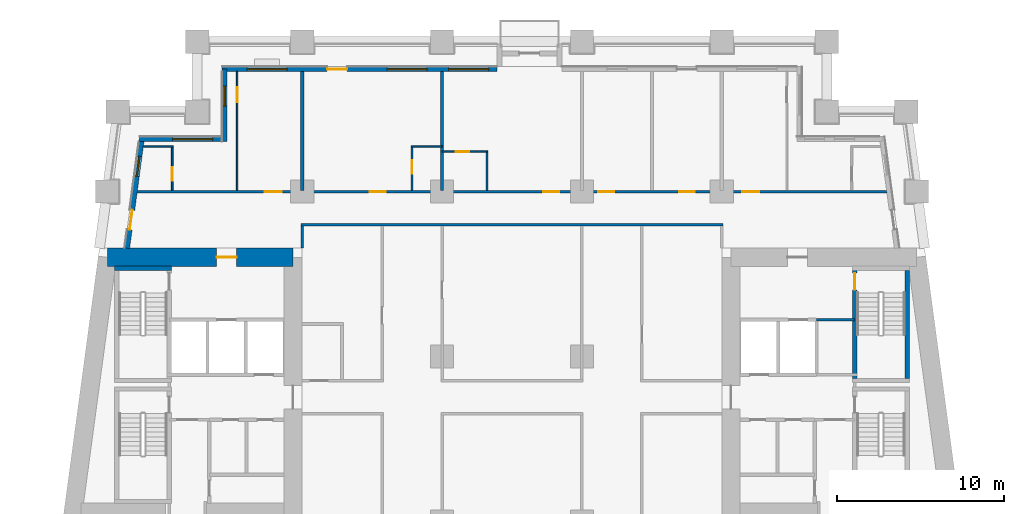
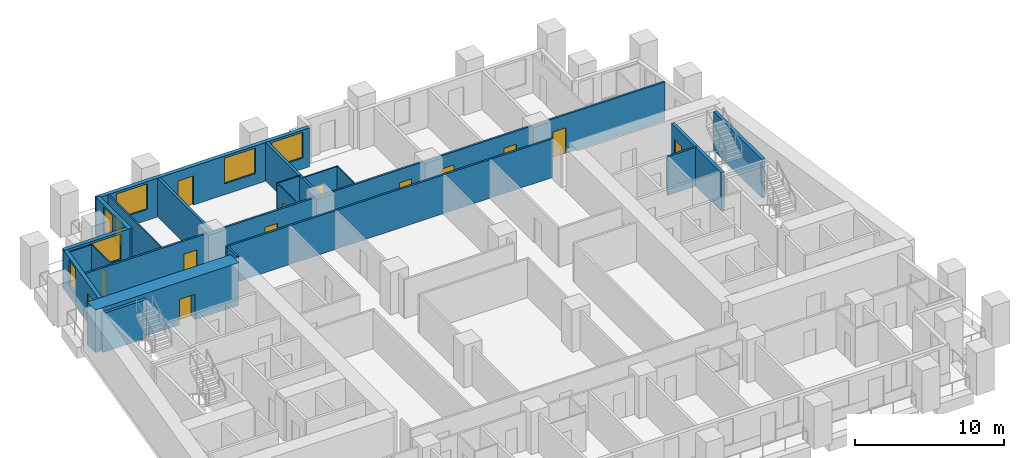
# One storey, part 6 of 12: 21 walls, 14 doors, 6 windows, 20 openings.
"""IFC4 building model written with IfcOpenShell, lengths in metres."""

from ifc_helpers import new_model, si_unit, direction, frame, frame_2d, origin, place, context, subcontext, project, spatial, rectangle, extrude, material, layer, layer_set, type_object, element, fill, save


model = new_model("IFC4")

# Units and contexts
model_context = context("Model", 3, precision=1e-05, world=origin(), true_north=direction((0.0, 1.0)))
body_context = subcontext(model_context, "Body", "Model", "MODEL_VIEW")
ifc_project = project(units=[si_unit("LENGTHUNIT", "METRE"), si_unit("AREAUNIT", "SQUARE_METRE"), si_unit("VOLUMEUNIT", "CUBIC_METRE"), si_unit("PLANEANGLEUNIT", "RADIAN"), si_unit("MASSUNIT", "GRAM", prefix="KILO")], contexts=[model_context])

# Site, building, storey
site_placement = place(None, origin())
site = spatial("IfcSite", under=ifc_project, at=site_placement, CompositionType="ELEMENT")
building_placement = place(site_placement, origin())
building = spatial("IfcBuilding", under=site, at=building_placement, Name="Candeia Pilgrim Tower and Theatre", CompositionType="ELEMENT")
storey_placement = place(building_placement, frame((0.0, 0.0, 49.5)))
storey = spatial("IfcBuildingStorey", under=building, at=storey_placement, Name="L09", CompositionType="ELEMENT", Elevation=49.5)

# Wall, opening, door
ifc_material_1 = material(Name="Concrete C80/95", Category="concrete")
ifc_layer_1 = layer(ifc_material_1, 1.10009765625)
ifc_layer_set_1 = layer_set([ifc_layer_1], Name="Core wall 1100 C80/95")
wall_type_1 = type_object("IfcWallType", Name="Core wall 1100 C80/95", PredefinedType="SHEAR", material=ifc_layer_set_1)
wall_1_placement = place(storey_placement, frame((89.111572265625, 131.85009765625, 0.0), z_axis=(0.0, 0.0, 1.0), x_axis=(1.0, 0.0, 0.0)))
wall_1 = element("IfcWall", 1, at=wall_1_placement, inside=storey, type_object=wall_type_1, Name="Core wall W1", PredefinedType="SHEAR", context=body_context, shape_type="SweptSolid", body=[
    extrude(rectangle(XDim=11.138427734375, YDim=1.10009765625, at=frame_2d((5.5693359375, 0.0))), origin(), (0.0, 0.0, 1.0), 3.5),
])
opening_1_placement = place(wall_1_placement, frame((6.5517578125, 0.0, 0.0)))
opening_1 = element("IfcOpeningElement", 2, at=opening_1_placement, cuts=wall_1, Name="Opening L09-D055", PredefinedType="OPENING", context=body_context, shape_type="SweptSolid", body=[
    extrude(rectangle(XDim=1.199951171875, YDim=2.10009765625, at=frame_2d((0.60009765625, 1.050048828125))), frame((0.0, 0.56005859375, 0.0), z_axis=(0.0, -1.0, 0.0), x_axis=(1.0, 0.0, 0.0)), (0.0, 0.0, 1.0), 1.1201171875),
])
ifc_material_2 = material(Name="Steel fire door set", Category="steel")
door_type_1 = type_object("IfcDoorType", Name="D-1200-FD60", OperationType="NOTDEFINED", PredefinedType="DOOR", material=ifc_material_2)
door_1_placement = place(opening_1_placement, origin())
door_1 = element("IfcDoor", 3, at=door_1_placement, inside=storey, type_object=door_type_1, Name="Door L09-D055", OperationType="SINGLE_SWING_RIGHT", OverallHeight=2.10009765625, OverallWidth=1.199951171875, PredefinedType="DOOR", context=body_context, shape_type="SweptSolid", body=[
    extrude(rectangle(XDim=1.199951171875, YDim=2.10009765625, at=frame_2d((0.60009765625, 1.050048828125))), frame((0.0, 0.02490234375, 0.0), z_axis=(0.0, -1.0, 0.0), x_axis=(1.0, 0.0, 0.0)), (0.0, 0.0, 1.0), 0.050048828125),
])
fill(opening_1, door_1)

# Wall, openings, door, windows
ifc_material_3 = material(Name="Ceramic block masonry", Category="masonry")
ifc_layer_2 = layer(ifc_material_3, 0.300048828125)
ifc_layer_set_2 = layer_set([ifc_layer_2], Name="EW1 glazing-line wall 300")
wall_type_2 = type_object("IfcWallType", Name="EW1 glazing-line wall 300", PredefinedType="SOLIDWALL", material=ifc_layer_set_2)
wall_2_placement = place(storey_placement, frame((112.5, 143.14990234375, 0.0), z_axis=(0.0, 0.0, 1.0), x_axis=(-1.0, 0.0, 0.0)))
wall_2 = element("IfcWall", 4, at=wall_2_placement, inside=storey, type_object=wall_type_2, Name="External wall L09-6.1", PredefinedType="SOLIDWALL", context=body_context, shape_type="SweptSolid", body=[
    extrude(rectangle(XDim=16.5, YDim=0.300048828125, at=frame_2d((8.25, 0.0))), origin(), (0.0, 0.0, 1.0), 3.179931640625),
])
opening_2_placement = place(wall_2_placement, frame((0.5, 0.0, 0.89990234375)))
opening_2 = element("IfcOpeningElement", 5, at=opening_2_placement, cuts=wall_2, Name="Opening W-A", PredefinedType="OPENING", context=body_context, shape_type="SweptSolid", body=[
    extrude(rectangle(XDim=2.39990234375, YDim=2.10009765625, at=frame_2d((1.199951171875, 1.050048828125))), frame((0.0, 0.16015625, 0.0), z_axis=(0.0, -1.0, 0.0), x_axis=(1.0, 0.0, 0.0)), (0.0, 0.0, 1.0), 0.320068359375),
])
opening_3_placement = place(wall_2_placement, frame((4.199951171875, 0.0, 0.89990234375)))
opening_3 = element("IfcOpeningElement", 6, at=opening_3_placement, cuts=wall_2, Name="Opening W-A", PredefinedType="OPENING", context=body_context, shape_type="SweptSolid", body=[
    extrude(rectangle(XDim=2.39990234375, YDim=2.10009765625, at=frame_2d((1.199951171875, 1.050048828125))), frame((0.0, 0.16015625, 0.0), z_axis=(0.0, -1.0, 0.0), x_axis=(1.0, 0.0, 0.0)), (0.0, 0.0, 1.0), 0.320068359375),
])
opening_4_placement = place(wall_2_placement, frame((9.0, 0.0, 0.0)))
opening_4 = element("IfcOpeningElement", 7, at=opening_4_placement, cuts=wall_2, Name="Opening L09-ED115", PredefinedType="OPENING", context=body_context, shape_type="SweptSolid", body=[
    extrude(rectangle(XDim=1.199951171875, YDim=2.39990234375, at=frame_2d((0.60009765625, 1.199951171875))), frame((0.0, 0.16015625, 0.0), z_axis=(0.0, -1.0, 0.0), x_axis=(1.0, 0.0, 0.0)), (0.0, 0.0, 1.0), 0.320068359375),
])
opening_5_placement = place(wall_2_placement, frame((12.60009765625, 0.0, 0.89990234375)))
opening_5 = element("IfcOpeningElement", 8, at=opening_5_placement, cuts=wall_2, Name="Opening W-A", PredefinedType="OPENING", context=body_context, shape_type="SweptSolid", body=[
    extrude(rectangle(XDim=2.39990234375, YDim=2.10009765625, at=frame_2d((1.199951171875, 1.050048828125))), frame((0.0, 0.16015625, 0.0), z_axis=(0.0, -1.0, 0.0), x_axis=(1.0, 0.0, 0.0)), (0.0, 0.0, 1.0), 0.320068359375),
])
ifc_material_4 = material(Name="Aluminium framed glazed door", Category="aluminium")
door_type_2 = type_object("IfcDoorType", Name="Loggia door 1200x2400", OperationType="DOUBLE_DOOR_SINGLE_SWING", PredefinedType="DOOR", material=ifc_material_4)
door_2_placement = place(opening_4_placement, origin())
door_2 = element("IfcDoor", 9, at=door_2_placement, inside=storey, type_object=door_type_2, Name="Loggia door L09-ED115", OperationType="DOUBLE_DOOR_SINGLE_SWING", OverallHeight=2.39990234375, OverallWidth=1.199951171875, PredefinedType="DOOR", context=body_context, shape_type="SweptSolid", body=[
    extrude(rectangle(XDim=1.199951171875, YDim=2.39990234375, at=frame_2d((0.60009765625, 1.199951171875))), frame((0.0, 0.02490234375, 0.0), z_axis=(0.0, -1.0, 0.0), x_axis=(1.0, 0.0, 0.0)), (0.0, 0.0, 1.0), 0.050048828125),
])
fill(opening_4, door_2)
ifc_material_5 = material(Name="Aluminium framed double glazing", Category="aluminium")
window_type_1 = type_object("IfcWindowType", Name="W-A window 2400x2100", PartitioningType="DOUBLE_PANEL_VERTICAL", PredefinedType="WINDOW", material=ifc_material_5)
window_1_placement = place(opening_2_placement, origin())
window_1 = element("IfcWindow", 10, at=window_1_placement, inside=storey, type_object=window_type_1, Name="Window W-A L09", OverallHeight=2.10009765625, OverallWidth=2.39990234375, PartitioningType="SINGLE_PANEL", PredefinedType="WINDOW", context=body_context, shape_type="SweptSolid", body=[
    extrude(rectangle(XDim=2.39990234375, YDim=2.10009765625, at=frame_2d((1.199951171875, 1.050048828125))), frame((0.0, 0.030029296875, 0.0), z_axis=(0.0, -1.0, 0.0), x_axis=(1.0, 0.0, 0.0)), (0.0, 0.0, 1.0), 0.06005859375),
])
fill(opening_2, window_1)
window_2_placement = place(opening_3_placement, origin())
window_2 = element("IfcWindow", 11, at=window_2_placement, inside=storey, type_object=window_type_1, Name="Window W-A L09", OverallHeight=2.10009765625, OverallWidth=2.39990234375, PartitioningType="SINGLE_PANEL", PredefinedType="WINDOW", context=body_context, shape_type="SweptSolid", body=[
    extrude(rectangle(XDim=2.39990234375, YDim=2.10009765625, at=frame_2d((1.199951171875, 1.050048828125))), frame((0.0, 0.030029296875, 0.0), z_axis=(0.0, -1.0, 0.0), x_axis=(1.0, 0.0, 0.0)), (0.0, 0.0, 1.0), 0.06005859375),
])
fill(opening_3, window_2)
window_3_placement = place(opening_5_placement, origin())
window_3 = element("IfcWindow", 12, at=window_3_placement, inside=storey, type_object=window_type_1, Name="Window W-A L09", OverallHeight=2.10009765625, OverallWidth=2.39990234375, PartitioningType="SINGLE_PANEL", PredefinedType="WINDOW", context=body_context, shape_type="SweptSolid", body=[
    extrude(rectangle(XDim=2.39990234375, YDim=2.10009765625, at=frame_2d((1.199951171875, 1.050048828125))), frame((0.0, 0.030029296875, 0.0), z_axis=(0.0, -1.0, 0.0), x_axis=(1.0, 0.0, 0.0)), (0.0, 0.0, 1.0), 0.06005859375),
])
fill(opening_5, window_3)

# Wall, opening, window
wall_3_placement = place(storey_placement, frame((96.14990234375, 143.14990234375, 0.0), z_axis=(0.0, 0.0, 1.0), x_axis=(0.0, -1.0, 0.0)))
wall_3 = element("IfcWall", 13, at=wall_3_placement, inside=storey, type_object=wall_type_2, Name="External wall L09-7.0", PredefinedType="SOLIDWALL", context=body_context, shape_type="SweptSolid", body=[
    extrude(rectangle(XDim=4.349853515625, YDim=0.300048828125, at=frame_2d((2.1748046875, 0.0))), origin(), (0.0, 0.0, 1.0), 3.179931640625),
])
opening_6_placement = place(wall_3_placement, frame((1.02490234375, 0.0, 0.89990234375)))
opening_6 = element("IfcOpeningElement", 14, at=opening_6_placement, cuts=wall_3, Name="Opening W-B", PredefinedType="OPENING", context=body_context, shape_type="SweptSolid", body=[
    extrude(rectangle(XDim=1.199951171875, YDim=2.10009765625, at=frame_2d((0.60009765625, 1.050048828125))), frame((0.0, 0.16015625, 0.0), z_axis=(0.0, -1.0, 0.0), x_axis=(1.0, 0.0, 0.0)), (0.0, 0.0, 1.0), 0.320068359375),
])
window_type_2 = type_object("IfcWindowType", Name="W-B window 1200x2100", PartitioningType="SINGLE_PANEL", PredefinedType="WINDOW", material=ifc_material_5)
window_4_placement = place(opening_6_placement, origin())
window_4 = element("IfcWindow", 15, at=window_4_placement, inside=storey, type_object=window_type_2, Name="Window W-B L09", OverallHeight=2.10009765625, OverallWidth=1.199951171875, PartitioningType="SINGLE_PANEL", PredefinedType="WINDOW", context=body_context, shape_type="SweptSolid", body=[
    extrude(rectangle(XDim=1.199951171875, YDim=2.10009765625, at=frame_2d((0.60009765625, 1.050048828125))), frame((0.0, 0.030029296875, 0.0), z_axis=(0.0, -1.0, 0.0), x_axis=(1.0, 0.0, 0.0)), (0.0, 0.0, 1.0), 0.06005859375),
])
fill(opening_6, window_4)

wall_4_placement = place(storey_placement, frame((96.14990234375, 138.949951171875, 0.0), z_axis=(0.0, 0.0, 1.0), x_axis=(-1.0, 0.0, 0.0)))
wall_4 = element("IfcWall", 16, at=wall_4_placement, inside=storey, type_object=wall_type_2, Name="External wall L09-8.0", PredefinedType="SOLIDWALL", context=body_context, shape_type="SweptSolid", body=[
    extrude(rectangle(XDim=5.103759765625, YDim=0.300048828125, at=frame_2d((2.5517578125, 0.0))), origin(), (0.0, 0.0, 1.0), 3.179931640625),
])
opening_7_placement = place(wall_4_placement, frame((0.72509765625, 0.0, 0.89990234375)))
opening_7 = element("IfcOpeningElement", 17, at=opening_7_placement, cuts=wall_4, Name="Opening W-A", PredefinedType="OPENING", context=body_context, shape_type="SweptSolid", body=[
    extrude(rectangle(XDim=2.39990234375, YDim=2.10009765625, at=frame_2d((1.199951171875, 1.050048828125))), frame((0.0, 0.16015625, 0.0), z_axis=(0.0, -1.0, 0.0), x_axis=(1.0, 0.0, 0.0)), (0.0, 0.0, 1.0), 0.320068359375),
])
window_5_placement = place(opening_7_placement, origin())
window_5 = element("IfcWindow", 18, at=window_5_placement, inside=storey, type_object=window_type_1, Name="Window W-A L09", OverallHeight=2.10009765625, OverallWidth=2.39990234375, PartitioningType="SINGLE_PANEL", PredefinedType="WINDOW", context=body_context, shape_type="SweptSolid", body=[
    extrude(rectangle(XDim=2.39990234375, YDim=2.10009765625, at=frame_2d((1.199951171875, 1.050048828125))), frame((0.0, 0.030029296875, 0.0), z_axis=(0.0, -1.0, 0.0), x_axis=(1.0, 0.0, 0.0)), (0.0, 0.0, 1.0), 0.06005859375),
])
fill(opening_7, window_5)

# Wall, openings, door, window
wall_5_placement = place(storey_placement, frame((91.177490234375, 138.949951171875, 0.0), z_axis=(0.0, 0.0, 1.0), x_axis=(-0.133426664613, -0.991058689065, 0.0)))
wall_5 = element("IfcWall", 19, at=wall_5_placement, inside=storey, type_object=wall_type_2, Name="External wall L09-9.0", PredefinedType="SOLIDWALL", context=body_context, shape_type="SweptSolid", body=[
    extrude(rectangle(XDim=6.609130859375, YDim=0.300048828125, at=frame_2d((3.3046875, 0.0))), origin(), (0.0, 0.0, 1.0), 3.179931640625),
])
opening_8_placement = place(wall_5_placement, frame((1.039306640625, 0.0, 0.89990234375)))
opening_8 = element("IfcOpeningElement", 20, at=opening_8_placement, cuts=wall_5, Name="Opening W-B", PredefinedType="OPENING", context=body_context, shape_type="SweptSolid", body=[
    extrude(rectangle(XDim=1.199951171875, YDim=2.10009765625, at=frame_2d((0.60009765625, 1.050048828125))), frame((0.0, 0.16015625, 0.0), z_axis=(0.0, -1.0, 0.0), x_axis=(1.0, 0.0, 0.0)), (0.0, 0.0, 1.0), 0.320068359375),
])
opening_9_placement = place(wall_5_placement, frame((4.293701171875, 0.0, 0.0)))
opening_9 = element("IfcOpeningElement", 21, at=opening_9_placement, cuts=wall_5, Name="Opening L09-ED117", PredefinedType="OPENING", context=body_context, shape_type="SweptSolid", body=[
    extrude(rectangle(XDim=1.199951171875, YDim=2.39990234375, at=frame_2d((0.60009765625, 1.199951171875))), frame((0.0, 0.16015625, 0.0), z_axis=(0.0, -1.0, 0.0), x_axis=(1.0, 0.0, 0.0)), (0.0, 0.0, 1.0), 0.320068359375),
])
door_3_placement = place(opening_9_placement, origin())
door_3 = element("IfcDoor", 22, at=door_3_placement, inside=storey, type_object=door_type_2, Name="Loggia door L09-ED117", OperationType="DOUBLE_DOOR_SINGLE_SWING", OverallHeight=2.39990234375, OverallWidth=1.199951171875, PredefinedType="DOOR", context=body_context, shape_type="SweptSolid", body=[
    extrude(rectangle(XDim=1.199951171875, YDim=2.39990234375, at=frame_2d((0.60009765625, 1.199951171875))), frame((0.0, 0.02490234375, 0.0), z_axis=(0.0, -1.0, 0.0), x_axis=(1.0, 0.0, 0.0)), (0.0, 0.0, 1.0), 0.050048828125),
])
fill(opening_9, door_3)
window_6_placement = place(opening_8_placement, origin())
window_6 = element("IfcWindow", 23, at=window_6_placement, inside=storey, type_object=window_type_2, Name="Window W-B L09", OverallHeight=2.10009765625, OverallWidth=1.199951171875, PartitioningType="SINGLE_PANEL", PredefinedType="WINDOW", context=body_context, shape_type="SweptSolid", body=[
    extrude(rectangle(XDim=1.199951171875, YDim=2.10009765625, at=frame_2d((0.60009765625, 1.050048828125))), frame((0.0, 0.030029296875, 0.0), z_axis=(0.0, -1.0, 0.0), x_axis=(1.0, 0.0, 0.0)), (0.0, 0.0, 1.0), 0.06005859375),
])
fill(opening_8, window_6)

# Wall, opening, door
ifc_material_6 = material(Name="Gypsum board partition on steel studs", Category="steel")
ifc_layer_3 = layer(ifc_material_6, 0.10009765625)
ifc_layer_set_3 = layer_set([ifc_layer_3], Name="PW-100 room partition")
wall_type_3 = type_object("IfcWallType", Name="PW-100 room partition", PredefinedType="PARTITIONING", material=ifc_layer_set_3)
wall_6_placement = place(storey_placement, frame((109.199951171875, 138.199951171875, 0.0), z_axis=(0.0, 0.0, 1.0), x_axis=(1.0, 0.0, 0.0)))
wall_6 = element("IfcWall", 24, at=wall_6_placement, inside=storey, type_object=wall_type_3, Name="Room partition L09-043", PredefinedType="PARTITIONING", context=body_context, shape_type="SweptSolid", body=[
    extrude(rectangle(XDim=2.75, YDim=0.10009765625, at=frame_2d((1.375, 0.0))), origin(), (0.0, 0.0, 1.0), 3.179931640625),
])
opening_10_placement = place(wall_6_placement, frame((0.830078125, 0.0, 0.0)))
opening_10 = element("IfcOpeningElement", 25, at=opening_10_placement, cuts=wall_6, Name="Opening L09-D041", PredefinedType="OPENING", context=body_context, shape_type="SweptSolid", body=[
    extrude(rectangle(XDim=0.800048828125, YDim=2.10009765625, at=frame_2d((0.39990234375, 1.050048828125))), frame((0.0, 0.06005859375, 0.0), z_axis=(0.0, -1.0, 0.0), x_axis=(1.0, 0.0, 0.0)), (0.0, 0.0, 1.0), 0.1201171875),
])
ifc_material_7 = material(Name="Timber door leaf", Category="wood")
door_type_3 = type_object("IfcDoorType", Name="D-800", OperationType="NOTDEFINED", PredefinedType="DOOR", material=ifc_material_7)
door_4_placement = place(opening_10_placement, origin())
door_4 = element("IfcDoor", 26, at=door_4_placement, inside=storey, type_object=door_type_3, Name="Door L09-D041", OperationType="SINGLE_SWING_RIGHT", OverallHeight=2.10009765625, OverallWidth=0.800048828125, PredefinedType="DOOR", context=body_context, shape_type="SweptSolid", body=[
    extrude(rectangle(XDim=0.800048828125, YDim=2.10009765625, at=frame_2d((0.39990234375, 1.050048828125))), frame((0.0, 0.02490234375, 0.0), z_axis=(0.0, -1.0, 0.0), x_axis=(1.0, 0.0, 0.0)), (0.0, 0.0, 1.0), 0.050048828125),
])
fill(opening_10, door_4)

# Walls
wall_7_placement = place(storey_placement, frame((91.258056640625, 138.5, 0.0), z_axis=(0.0, 0.0, 1.0), x_axis=(1.0, 0.0, 0.0)))
element("IfcWall", 27, at=wall_7_placement, inside=storey, type_object=wall_type_3, Name="Room partition L09-044", PredefinedType="PARTITIONING", context=body_context, shape_type="SweptSolid", body=[
    extrude(rectangle(XDim=1.7919921875, YDim=0.10009765625, at=frame_2d((0.89599609375, 0.0))), origin(), (0.0, 0.0, 1.0), 3.179931640625),
])
wall_8_placement = place(storey_placement, frame((107.35009765625, 138.5, 0.0), z_axis=(0.0, 0.0, 1.0), x_axis=(1.0, 0.0, 0.0)))
element("IfcWall", 28, at=wall_8_placement, inside=storey, type_object=wall_type_3, Name="Room partition L09-045", PredefinedType="PARTITIONING", context=body_context, shape_type="SweptSolid", body=[
    extrude(rectangle(XDim=1.849853515625, YDim=0.10009765625, at=frame_2d((0.9248046875, 0.0))), origin(), (0.0, 0.0, 1.0), 3.179931640625),
])

# Wall, opening, door
wall_9_placement = place(storey_placement, frame((93.0, 135.875, 0.0), z_axis=(0.0, 0.0, 1.0), x_axis=(0.0, 1.0, 0.0)))
wall_9 = element("IfcWall", 29, at=wall_9_placement, inside=storey, type_object=wall_type_3, Name="Room partition L09-059", PredefinedType="PARTITIONING", context=body_context, shape_type="SweptSolid", body=[
    extrude(rectangle(XDim=2.574951171875, YDim=0.10009765625, at=frame_2d((1.28759765625, 0.0))), origin(), (0.0, 0.0, 1.0), 3.179931640625),
])
opening_11_placement = place(wall_9_placement, frame((0.574951171875, 0.0, 0.0)))
opening_11 = element("IfcOpeningElement", 30, at=opening_11_placement, cuts=wall_9, Name="Opening L09-D037", PredefinedType="OPENING", context=body_context, shape_type="SweptSolid", body=[
    extrude(rectangle(XDim=0.800048828125, YDim=2.10009765625, at=frame_2d((0.39990234375, 1.050048828125))), frame((0.0, 0.06005859375, 0.0), z_axis=(0.0, -1.0, 0.0), x_axis=(1.0, 0.0, 0.0)), (0.0, 0.0, 1.0), 0.1201171875),
])
door_5_placement = place(opening_11_placement, origin())
door_5 = element("IfcDoor", 31, at=door_5_placement, inside=storey, type_object=door_type_3, Name="Door L09-D037", OperationType="SINGLE_SWING_RIGHT", OverallHeight=2.10009765625, OverallWidth=0.800048828125, PredefinedType="DOOR", context=body_context, shape_type="SweptSolid", body=[
    extrude(rectangle(XDim=0.800048828125, YDim=2.10009765625, at=frame_2d((0.39990234375, 1.050048828125))), frame((0.0, 0.02490234375, 0.0), z_axis=(0.0, -1.0, 0.0), x_axis=(1.0, 0.0, 0.0)), (0.0, 0.0, 1.0), 0.050048828125),
])
fill(opening_11, door_5)

wall_10_placement = place(storey_placement, frame((96.89990234375, 135.875, 0.0), z_axis=(0.0, 0.0, 1.0), x_axis=(0.0, 1.0, 0.0)))
wall_10 = element("IfcWall", 32, at=wall_10_placement, inside=storey, type_object=wall_type_3, Name="Room partition L09-065", PredefinedType="PARTITIONING", context=body_context, shape_type="SweptSolid", body=[
    extrude(rectangle(XDim=7.135009765625, YDim=0.10009765625, at=frame_2d((3.5673828125, 0.0))), origin(), (0.0, 0.0, 1.0), 3.179931640625),
])
opening_12_placement = place(wall_10_placement, frame((5.2900390625, 0.0, 0.0)))
opening_12 = element("IfcOpeningElement", 33, at=opening_12_placement, cuts=wall_10, Name="Opening L09-D036", PredefinedType="OPENING", context=body_context, shape_type="SweptSolid", body=[
    extrude(rectangle(XDim=0.89990234375, YDim=2.10009765625, at=frame_2d((0.449951171875, 1.050048828125))), frame((0.0, 0.06005859375, 0.0), z_axis=(0.0, -1.0, 0.0), x_axis=(1.0, 0.0, 0.0)), (0.0, 0.0, 1.0), 0.1201171875),
])
door_type_4 = type_object("IfcDoorType", Name="D-900", OperationType="NOTDEFINED", PredefinedType="DOOR", material=ifc_material_7)
door_6_placement = place(opening_12_placement, origin())
door_6 = element("IfcDoor", 34, at=door_6_placement, inside=storey, type_object=door_type_4, Name="Door L09-D036", OperationType="SINGLE_SWING_LEFT", OverallHeight=2.10009765625, OverallWidth=0.89990234375, PredefinedType="DOOR", context=body_context, shape_type="SweptSolid", body=[
    extrude(rectangle(XDim=0.89990234375, YDim=2.10009765625, at=frame_2d((0.449951171875, 1.050048828125))), frame((0.0, 0.02490234375, 0.0), z_axis=(0.0, -1.0, 0.0), x_axis=(1.0, 0.0, 0.0)), (0.0, 0.0, 1.0), 0.050048828125),
])
fill(opening_12, door_6)

wall_11_placement = place(storey_placement, frame((107.39990234375, 135.875, 0.0), z_axis=(0.0, 0.0, 1.0), x_axis=(0.0, 1.0, 0.0)))
wall_11 = element("IfcWall", 35, at=wall_11_placement, inside=storey, type_object=wall_type_3, Name="Room partition L09-079", PredefinedType="PARTITIONING", context=body_context, shape_type="SweptSolid", body=[
    extrude(rectangle(XDim=2.574951171875, YDim=0.10009765625, at=frame_2d((1.28759765625, 0.0))), origin(), (0.0, 0.0, 1.0), 3.179931640625),
])
opening_13_placement = place(wall_11_placement, frame((0.9951171875, 0.0, 0.0)))
opening_13 = element("IfcOpeningElement", 36, at=opening_13_placement, cuts=wall_11, Name="Opening L09-D039", PredefinedType="OPENING", context=body_context, shape_type="SweptSolid", body=[
    extrude(rectangle(XDim=0.800048828125, YDim=2.10009765625, at=frame_2d((0.39990234375, 1.050048828125))), frame((0.0, 0.06005859375, 0.0), z_axis=(0.0, -1.0, 0.0), x_axis=(1.0, 0.0, 0.0)), (0.0, 0.0, 1.0), 0.1201171875),
])
door_7_placement = place(opening_13_placement, origin())
door_7 = element("IfcDoor", 37, at=door_7_placement, inside=storey, type_object=door_type_3, Name="Door L09-D039", OperationType="SINGLE_SWING_RIGHT", OverallHeight=2.10009765625, OverallWidth=0.800048828125, PredefinedType="DOOR", context=body_context, shape_type="SweptSolid", body=[
    extrude(rectangle(XDim=0.800048828125, YDim=2.10009765625, at=frame_2d((0.39990234375, 1.050048828125))), frame((0.0, 0.02490234375, 0.0), z_axis=(0.0, -1.0, 0.0), x_axis=(1.0, 0.0, 0.0)), (0.0, 0.0, 1.0), 0.050048828125),
])
fill(opening_13, door_7)

# Walls
wall_12_placement = place(storey_placement, frame((111.89990234375, 135.875, 0.0), z_axis=(0.0, 0.0, 1.0), x_axis=(0.0, 1.0, 0.0)))
element("IfcWall", 38, at=wall_12_placement, inside=storey, type_object=wall_type_3, Name="Room partition L09-085", PredefinedType="PARTITIONING", context=body_context, shape_type="SweptSolid", body=[
    extrude(rectangle(XDim=2.27490234375, YDim=0.10009765625, at=frame_2d((1.137451171875, 0.0))), origin(), (0.0, 0.0, 1.0), 3.179931640625),
])
ifc_layer_4 = layer(ifc_material_6, 0.14990234375)
ifc_layer_set_4 = layer_set([ifc_layer_4], Name="PW-150 lobby wall")
wall_type_4 = type_object("IfcWallType", Name="PW-150 lobby wall", PredefinedType="PARTITIONING", material=ifc_layer_set_4)
wall_13_placement = place(storey_placement, frame((131.681884765625, 128.10009765625, 0.0), z_axis=(0.0, 0.0, 1.0), x_axis=(1.0, 0.0, 0.0)))
element("IfcWall", 39, at=wall_13_placement, inside=storey, type_object=wall_type_4, Name="Lobby wall L09-038", PredefinedType="PARTITIONING", context=body_context, shape_type="SweptSolid", body=[
    extrude(rectangle(XDim=2.291015625, YDim=0.14990234375, at=frame_2d((1.1455078125, 0.0))), origin(), (0.0, 0.0, 1.0), 3.179931640625),
])
ifc_layer_5 = layer(ifc_material_6, 0.14990234375)
ifc_layer_set_5 = layer_set([ifc_layer_5], Name="PW-150 unit wall")
wall_type_5 = type_object("IfcWallType", Name="PW-150 unit wall", PredefinedType="PARTITIONING", material=ifc_layer_set_5)
wall_14_placement = place(storey_placement, frame((100.72509765625, 133.800048828125, 0.0), z_axis=(0.0, 0.0, 1.0), x_axis=(1.0, 0.0, 0.0)))
element("IfcWall", 40, at=wall_14_placement, inside=storey, type_object=wall_type_5, Name="Unit wall L09-041", PredefinedType="PARTITIONING", context=body_context, shape_type="SweptSolid", body=[
    extrude(rectangle(XDim=25.349853515625, YDim=0.14990234375, at=frame_2d((12.6748046875, 0.0))), origin(), (0.0, 0.0, 1.0), 3.179931640625),
])

# Wall, openings, doors
wall_15_placement = place(storey_placement, frame((90.89453125, 135.800048828125, 0.0), z_axis=(0.0, 0.0, 1.0), x_axis=(1.0, 0.0, 0.0)))
wall_15 = element("IfcWall", 41, at=wall_15_placement, inside=storey, type_object=wall_type_5, Name="Unit wall L09-042", PredefinedType="PARTITIONING", context=body_context, shape_type="SweptSolid", body=[
    extrude(rectangle(XDim=45.010986328125, YDim=0.14990234375, at=frame_2d((22.50537109375, 0.0))), origin(), (0.0, 0.0, 1.0), 3.179931640625),
])
opening_14_placement = place(wall_15_placement, frame((7.67529296875, 0.0, 0.0)))
opening_14 = element("IfcOpeningElement", 42, at=opening_14_placement, cuts=wall_15, Name="Opening L09-D035", PredefinedType="OPENING", context=body_context, shape_type="SweptSolid", body=[
    extrude(rectangle(XDim=1.0, YDim=2.10009765625, at=frame_2d((0.5, 1.050048828125))), frame((0.0, 0.0849609375, 0.0), z_axis=(0.0, -1.0, 0.0), x_axis=(1.0, 0.0, 0.0)), (0.0, 0.0, 1.0), 0.169921875),
])
opening_15_placement = place(wall_15_placement, frame((13.968505859375, 0.0, 0.0)))
opening_15 = element("IfcOpeningElement", 43, at=opening_15_placement, cuts=wall_15, Name="Opening L09-D038", PredefinedType="OPENING", context=body_context, shape_type="SweptSolid", body=[
    extrude(rectangle(XDim=0.949951171875, YDim=2.10009765625, at=frame_2d((0.47509765625, 1.050048828125))), frame((0.0, 0.0849609375, 0.0), z_axis=(0.0, -1.0, 0.0), x_axis=(1.0, 0.0, 0.0)), (0.0, 0.0, 1.0), 0.169921875),
])
opening_16_placement = place(wall_15_placement, frame((24.393310546875, 0.0, 0.0)))
opening_16 = element("IfcOpeningElement", 44, at=opening_16_placement, cuts=wall_15, Name="Opening L09-D040", PredefinedType="OPENING", context=body_context, shape_type="SweptSolid", body=[
    extrude(rectangle(XDim=0.949951171875, YDim=2.10009765625, at=frame_2d((0.47509765625, 1.050048828125))), frame((0.0, 0.0849609375, 0.0), z_axis=(0.0, -1.0, 0.0), x_axis=(1.0, 0.0, 0.0)), (0.0, 0.0, 1.0), 0.169921875),
])
opening_17_placement = place(wall_15_placement, frame((27.6923828125, 0.0, 0.0)))
opening_17 = element("IfcOpeningElement", 45, at=opening_17_placement, cuts=wall_15, Name="Opening L09-D042", PredefinedType="OPENING", context=body_context, shape_type="SweptSolid", body=[
    extrude(rectangle(XDim=0.949951171875, YDim=2.10009765625, at=frame_2d((0.47509765625, 1.050048828125))), frame((0.0, 0.0849609375, 0.0), z_axis=(0.0, -1.0, 0.0), x_axis=(1.0, 0.0, 0.0)), (0.0, 0.0, 1.0), 0.169921875),
])
opening_18_placement = place(wall_15_placement, frame((32.530517578125, 0.0, 0.0)))
opening_18 = element("IfcOpeningElement", 46, at=opening_18_placement, cuts=wall_15, Name="Opening L09-D043", PredefinedType="OPENING", context=body_context, shape_type="SweptSolid", body=[
    extrude(rectangle(XDim=0.949951171875, YDim=2.10009765625, at=frame_2d((0.47509765625, 1.050048828125))), frame((0.0, 0.0849609375, 0.0), z_axis=(0.0, -1.0, 0.0), x_axis=(1.0, 0.0, 0.0)), (0.0, 0.0, 1.0), 0.169921875),
])
opening_19_placement = place(wall_15_placement, frame((36.33544921875, 0.0, 0.0)))
opening_19 = element("IfcOpeningElement", 47, at=opening_19_placement, cuts=wall_15, Name="Opening L09-D044", PredefinedType="OPENING", context=body_context, shape_type="SweptSolid", body=[
    extrude(rectangle(XDim=1.0, YDim=2.10009765625, at=frame_2d((0.5, 1.050048828125))), frame((0.0, 0.0849609375, 0.0), z_axis=(0.0, -1.0, 0.0), x_axis=(1.0, 0.0, 0.0)), (0.0, 0.0, 1.0), 0.169921875),
])
door_type_5 = type_object("IfcDoorType", Name="D-1000-FD30S", OperationType="NOTDEFINED", PredefinedType="DOOR", material=ifc_material_2)
door_8_placement = place(opening_14_placement, origin())
door_8 = element("IfcDoor", 48, at=door_8_placement, inside=storey, type_object=door_type_5, Name="Door L09-D035", OperationType="SINGLE_SWING_RIGHT", OverallHeight=2.10009765625, OverallWidth=1.0, PredefinedType="DOOR", context=body_context, shape_type="SweptSolid", body=[
    extrude(rectangle(XDim=1.0, YDim=2.10009765625, at=frame_2d((0.5, 1.050048828125))), frame((0.0, 0.02490234375, 0.0), z_axis=(0.0, -1.0, 0.0), x_axis=(1.0, 0.0, 0.0)), (0.0, 0.0, 1.0), 0.050048828125),
])
fill(opening_14, door_8)
door_9_placement = place(opening_19_placement, origin())
door_9 = element("IfcDoor", 49, at=door_9_placement, inside=storey, type_object=door_type_5, Name="Door L09-D044", OperationType="SINGLE_SWING_LEFT", OverallHeight=2.10009765625, OverallWidth=1.0, PredefinedType="DOOR", context=body_context, shape_type="SweptSolid", body=[
    extrude(rectangle(XDim=1.0, YDim=2.10009765625, at=frame_2d((0.5, 1.050048828125))), frame((0.0, 0.02490234375, 0.0), z_axis=(0.0, -1.0, 0.0), x_axis=(1.0, 0.0, 0.0)), (0.0, 0.0, 1.0), 0.050048828125),
])
fill(opening_19, door_9)
door_type_6 = type_object("IfcDoorType", Name="D-950-FD30S", OperationType="NOTDEFINED", PredefinedType="DOOR", material=ifc_material_2)
door_10_placement = place(opening_15_placement, origin())
door_10 = element("IfcDoor", 50, at=door_10_placement, inside=storey, type_object=door_type_6, Name="Door L09-D038", OperationType="SINGLE_SWING_LEFT", OverallHeight=2.10009765625, OverallWidth=0.949951171875, PredefinedType="DOOR", context=body_context, shape_type="SweptSolid", body=[
    extrude(rectangle(XDim=0.949951171875, YDim=2.10009765625, at=frame_2d((0.47509765625, 1.050048828125))), frame((0.0, 0.02490234375, 0.0), z_axis=(0.0, -1.0, 0.0), x_axis=(1.0, 0.0, 0.0)), (0.0, 0.0, 1.0), 0.050048828125),
])
fill(opening_15, door_10)
door_11_placement = place(opening_16_placement, origin())
door_11 = element("IfcDoor", 51, at=door_11_placement, inside=storey, type_object=door_type_6, Name="Door L09-D040", OperationType="SINGLE_SWING_LEFT", OverallHeight=2.10009765625, OverallWidth=0.949951171875, PredefinedType="DOOR", context=body_context, shape_type="SweptSolid", body=[
    extrude(rectangle(XDim=0.949951171875, YDim=2.10009765625, at=frame_2d((0.47509765625, 1.050048828125))), frame((0.0, 0.02490234375, 0.0), z_axis=(0.0, -1.0, 0.0), x_axis=(1.0, 0.0, 0.0)), (0.0, 0.0, 1.0), 0.050048828125),
])
fill(opening_16, door_11)
door_12_placement = place(opening_17_placement, origin())
door_12 = element("IfcDoor", 52, at=door_12_placement, inside=storey, type_object=door_type_6, Name="Door L09-D042", OperationType="SINGLE_SWING_LEFT", OverallHeight=2.10009765625, OverallWidth=0.949951171875, PredefinedType="DOOR", context=body_context, shape_type="SweptSolid", body=[
    extrude(rectangle(XDim=0.949951171875, YDim=2.10009765625, at=frame_2d((0.47509765625, 1.050048828125))), frame((0.0, 0.02490234375, 0.0), z_axis=(0.0, -1.0, 0.0), x_axis=(1.0, 0.0, 0.0)), (0.0, 0.0, 1.0), 0.050048828125),
])
fill(opening_17, door_12)
door_13_placement = place(opening_18_placement, origin())
door_13 = element("IfcDoor", 53, at=door_13_placement, inside=storey, type_object=door_type_6, Name="Door L09-D043", OperationType="SINGLE_SWING_RIGHT", OverallHeight=2.10009765625, OverallWidth=0.949951171875, PredefinedType="DOOR", context=body_context, shape_type="SweptSolid", body=[
    extrude(rectangle(XDim=0.949951171875, YDim=2.10009765625, at=frame_2d((0.47509765625, 1.050048828125))), frame((0.0, 0.02490234375, 0.0), z_axis=(0.0, -1.0, 0.0), x_axis=(1.0, 0.0, 0.0)), (0.0, 0.0, 1.0), 0.050048828125),
])
fill(opening_18, door_13)

# Walls
wall_16_placement = place(storey_placement, frame((100.800048828125, 132.39990234375, 0.0), z_axis=(0.0, 0.0, 1.0), x_axis=(0.0, 1.0, 0.0)))
element("IfcWall", 54, at=wall_16_placement, inside=storey, type_object=wall_type_5, Name="Unit wall L09-073", PredefinedType="PARTITIONING", context=body_context, shape_type="SweptSolid", body=[
    extrude(rectangle(XDim=1.3251953125, YDim=0.14990234375, at=frame_2d((0.66259765625, 0.0))), origin(), (0.0, 0.0, 1.0), 3.179931640625),
])
ifc_layer_6 = layer(ifc_material_6, 0.199951171875)
ifc_layer_set_6 = layer_set([ifc_layer_6], Name="PW-200 party wall")
wall_type_6 = type_object("IfcWallType", Name="PW-200 party wall", PredefinedType="PARTITIONING", material=ifc_layer_set_6)
for number, where, z_axis, x_axis, name in (
    (55, (100.800048828125, 135.875, 0.0), (0.0, 0.0, 1.0), (0.0, 1.0, 0.0), "Party wall L09-071"),
    (56, (109.199951171875, 135.875, 0.0), (0.0, 0.0, 1.0), (0.0, 1.0, 0.0), "Party wall L09-081"),
):
    element("IfcWall", number, at=place(storey_placement, frame(where, z_axis=z_axis, x_axis=x_axis)), inside=storey, type_object=wall_type_6, Name=name, PredefinedType="PARTITIONING", context=body_context, shape_type="SweptSolid", body=[
        extrude(rectangle(XDim=7.135009765625, YDim=0.199951171875, at=frame_2d((3.5673828125, 0.0))), origin(), (0.0, 0.0, 1.0), 3.179931640625),
    ])
ifc_material_8 = material(Name="Concrete C40/50", Category="concrete")
ifc_layer_7 = layer(ifc_material_8, 0.25)
ifc_layer_set_7 = layer_set([ifc_layer_7], Name="SW-250 stair wall")
wall_type_7 = type_object("IfcWallType", Name="SW-250 stair wall", PredefinedType="PARTITIONING", material=ifc_layer_set_7)
wall_17_placement = place(storey_placement, frame((89.552001953125, 131.199951171875, 0.0), z_axis=(0.0, 0.0, 1.0), x_axis=(1.0, 0.0, 0.0)))
element("IfcWall", 57, at=wall_17_placement, inside=storey, type_object=wall_type_7, Name="Stair wall L09-039", PredefinedType="PARTITIONING", context=body_context, shape_type="SweptSolid", body=[
    extrude(rectangle(XDim=3.39990234375, YDim=0.25, at=frame_2d((1.699951171875, 0.0))), origin(), (0.0, 0.0, 1.0), 3.179931640625),
])

# Wall, opening, door
wall_18_placement = place(storey_placement, frame((133.972900390625, 124.574951171875, 0.0), z_axis=(0.0, 0.0, 1.0), x_axis=(0.0, 1.0, 0.0)))
wall_18 = element("IfcWall", 58, at=wall_18_placement, inside=storey, type_object=wall_type_7, Name="Stair wall L09-114", PredefinedType="PARTITIONING", context=body_context, shape_type="SweptSolid", body=[
    extrude(rectangle(XDim=6.755126953125, YDim=0.25, at=frame_2d((3.37744140625, 0.0))), origin(), (0.0, 0.0, 1.0), 3.179931640625),
])
opening_20_placement = place(wall_18_placement, frame((5.324951171875, 0.0, 0.0)))
opening_20 = element("IfcOpeningElement", 59, at=opening_20_placement, cuts=wall_18, Name="Opening L09-D012", PredefinedType="OPENING", context=body_context, shape_type="SweptSolid", body=[
    extrude(rectangle(XDim=1.0, YDim=2.10009765625, at=frame_2d((0.5, 1.050048828125))), frame((0.0, 0.135009765625, 0.0), z_axis=(0.0, -1.0, 0.0), x_axis=(1.0, 0.0, 0.0)), (0.0, 0.0, 1.0), 0.27001953125),
])
door_type_7 = type_object("IfcDoorType", Name="D-1000-FD60", OperationType="NOTDEFINED", PredefinedType="DOOR", material=ifc_material_2)
door_14_placement = place(opening_20_placement, origin())
door_14 = element("IfcDoor", 60, at=door_14_placement, inside=storey, type_object=door_type_7, Name="Door L09-D012", OperationType="SINGLE_SWING_RIGHT", OverallHeight=2.10009765625, OverallWidth=1.0, PredefinedType="DOOR", context=body_context, shape_type="SweptSolid", body=[
    extrude(rectangle(XDim=1.0, YDim=2.10009765625, at=frame_2d((0.5, 1.050048828125))), frame((0.0, 0.02490234375, 0.0), z_axis=(0.0, -1.0, 0.0), x_axis=(1.0, 0.0, 0.0)), (0.0, 0.0, 1.0), 0.050048828125),
])
fill(opening_20, door_14)

# Wall
wall_19_placement = place(storey_placement, frame((137.123046875, 124.574951171875, 0.0), z_axis=(0.0, 0.0, 1.0), x_axis=(0.0, 1.0, 0.0)))
element("IfcWall", 61, at=wall_19_placement, inside=storey, type_object=wall_type_7, Name="Stair wall L09-118", PredefinedType="PARTITIONING", context=body_context, shape_type="SweptSolid", body=[
    extrude(rectangle(XDim=6.5, YDim=0.25, at=frame_2d((3.25, 0.0))), origin(), (0.0, 0.0, 1.0), 3.179931640625),
])

save(model, "model.ifc")
